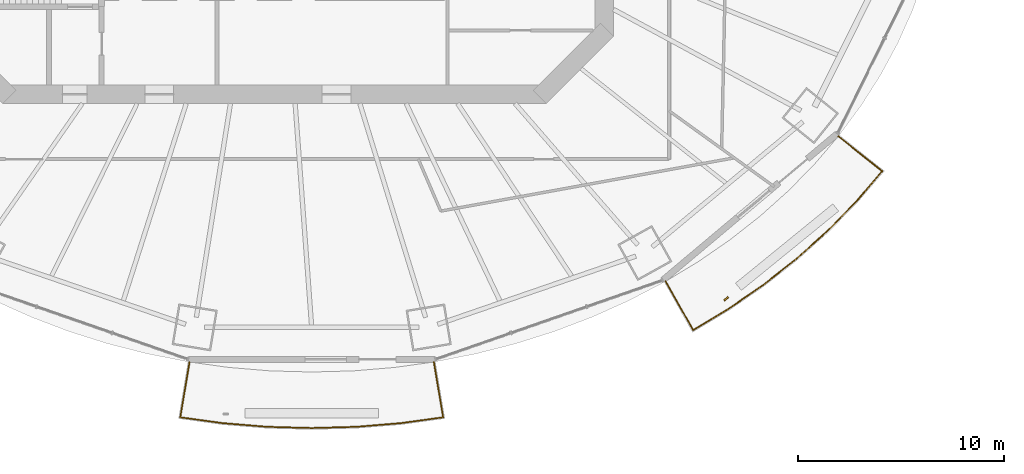
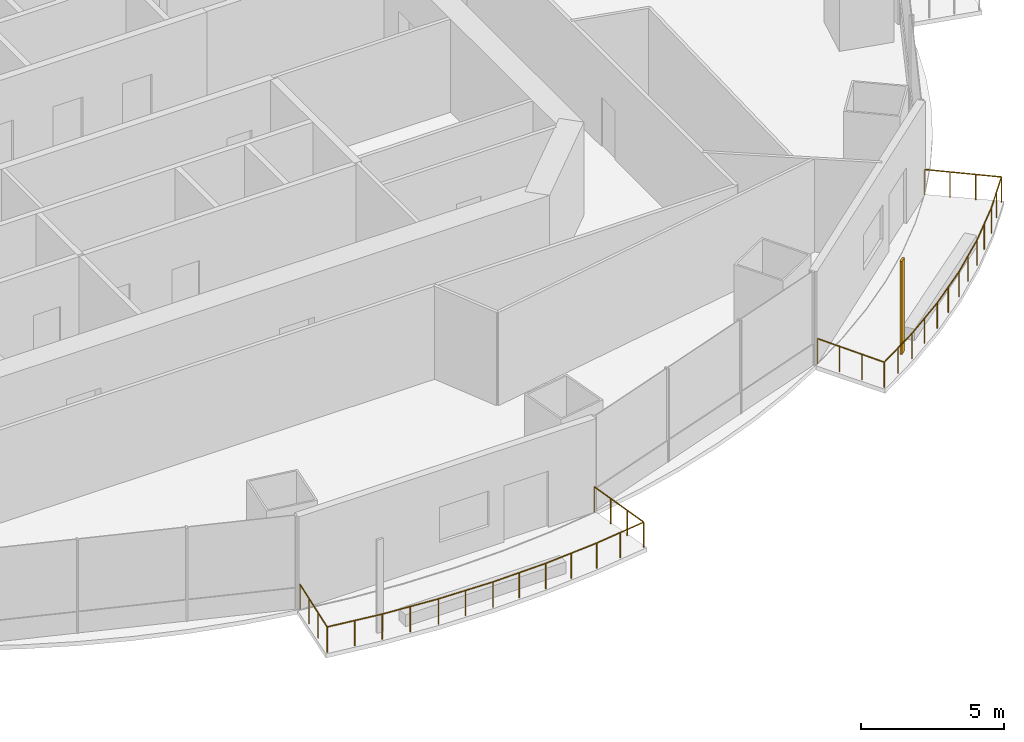
# One storey, part 15 of 19: 2 railings, 1 shading device.
"""IFC4 building model written with IfcOpenShell, lengths in metres."""

from ifc_helpers import new_model, si_unit, direction, frame, origin, origin_2d, place, context, subcontext, project, spatial, rectangle, circle, extrude, material, material_profile, profile_set, type_object, element, save


model = new_model("IFC4")

# Units and contexts
model_context = context("Model", 3, precision=1e-05, world=origin(), true_north=direction((0.0, 1.0)))
body_context = subcontext(model_context, "Body", "Model", "MODEL_VIEW")
ifc_project = project(units=[si_unit("LENGTHUNIT", "METRE"), si_unit("AREAUNIT", "SQUARE_METRE"), si_unit("VOLUMEUNIT", "CUBIC_METRE"), si_unit("PLANEANGLEUNIT", "RADIAN"), si_unit("MASSUNIT", "GRAM", prefix="KILO")], contexts=[model_context])

# Site, building, storey
site_placement = place(None, origin())
site = spatial("IfcSite", under=ifc_project, at=site_placement, CompositionType="ELEMENT")
building_placement = place(site_placement, origin())
building = spatial("IfcBuilding", under=site, at=building_placement, Name="Marenthal Gate Tower", CompositionType="ELEMENT")
storey_placement = place(building_placement, frame((0.0, 0.0, 223.300048828125)))
storey = spatial("IfcBuildingStorey", under=building, at=storey_placement, Name="L49", CompositionType="ELEMENT", Elevation=223.300048828125)

# Railings
ifc_material_1 = material(Name="Stainless steel", Category="steel")
railing_type = type_object("IfcRailingType", Name="Balcony guard 1100", PredefinedType="GUARDRAIL", material=ifc_material_1)
railing_1_placement = place(storey_placement, frame((7.7314453125, -26.000732421875, 0.0)))
element("IfcRailing", 1, at=railing_1_placement, inside=storey, type_object=railing_type, Name="Balcony guard L49 bay 12", PredefinedType="GUARDRAIL", context=body_context, shape_type="SweptSolid", body=[
    extrude(circle(Radius=0.02392578125, at=origin_2d()), frame((0.0, 0.0, 1.076171875), z_axis=(0.164948720809, -0.986192324793, -0.014717948973), x_axis=(0.986299155665, 0.164966589145, 0.0)), (0.0, 0.0, 1.0), 2.720458984375),
    extrude(circle(Radius=0.02392578125, at=origin_2d()), frame((0.44873046875, -2.682861328125, 1.0361328125), z_axis=(-0.990662192704, -0.136339355824, 0.0), x_axis=(0.136339355824, -0.990662192704, 0.0)), (0.0, 0.0, 1.0), 2.0791015625),
    extrude(circle(Radius=0.02392578125, at=origin_2d()), frame((-1.61083984375, -2.96630859375, 1.0361328125), z_axis=(-0.996591524786, -0.082494440564, 0.0), x_axis=(0.082494440564, -0.996591524786, 0.0)), (0.0, 0.0, 1.0), 2.163330078125),
    extrude(circle(Radius=0.02392578125, at=origin_2d()), frame((-3.766845703125, -3.144775390625, 1.0361328125), z_axis=(-0.999621515945, -0.027510450021, 0.0), x_axis=(0.027510450021, -0.999621515945, 0.0)), (0.0, 0.0, 1.0), 2.165283203125),
    extrude(circle(Radius=0.02392578125, at=origin_2d()), frame((-5.931396484375, -3.204345703125, 1.0361328125), z_axis=(-0.999621515945, 0.027510450021, 0.0), x_axis=(-0.027510450021, -0.999621515945, 0.0)), (0.0, 0.0, 1.0), 2.165283203125),
    extrude(circle(Radius=0.02392578125, at=origin_2d()), frame((-8.095947265625, -3.144775390625, 1.0361328125), z_axis=(-0.996591524786, 0.082494440564, 0.0), x_axis=(-0.082494440564, -0.996591524786, 0.0)), (0.0, 0.0, 1.0), 2.163330078125),
    extrude(circle(Radius=0.02392578125, at=origin_2d()), frame((-10.251953125, -2.96630859375, 1.0361328125), z_axis=(-0.990662192704, 0.136339355824, 0.0), x_axis=(-0.136339355824, -0.990662192704, 0.0)), (0.0, 0.0, 1.0), 2.0791015625),
    extrude(circle(Radius=0.02392578125, at=origin_2d()), frame((-12.3115234375, -2.682861328125, 1.0361328125), z_axis=(0.164948720809, 0.986192324793, 0.014717948973), x_axis=(-0.986299155665, 0.164966589145, 0.0)), (0.0, 0.0, 1.0), 2.720458984375),
    extrude(circle(Radius=0.02099609375, at=origin_2d()), origin(), (0.0, 0.0, 1.0), 1.052001953125),
    extrude(circle(Radius=0.02099609375, at=origin_2d()), frame((0.149658203125, -0.894287109375, -0.013427734375)), (0.0, 0.0, 1.0), 1.052001953125),
    extrude(circle(Radius=0.02099609375, at=origin_2d()), frame((0.299072265625, -1.78857421875, -0.026611328125)), (0.0, 0.0, 1.0), 1.052001953125),
    extrude(circle(Radius=0.02099609375, at=origin_2d()), frame((0.44873046875, -2.682861328125, -0.0400390625)), (0.0, 0.0, 1.0), 1.052001953125),
    extrude(circle(Radius=0.02099609375, at=origin_2d()), frame((-0.5810546875, -2.82470703125, -0.0400390625)), (0.0, 0.0, 1.0), 1.052001953125),
    extrude(circle(Radius=0.02099609375, at=origin_2d()), frame((-1.61083984375, -2.96630859375, -0.0400390625)), (0.0, 0.0, 1.0), 1.052001953125),
    extrude(circle(Radius=0.02099609375, at=origin_2d()), frame((-2.68896484375, -3.0556640625, -0.0400390625)), (0.0, 0.0, 1.0), 1.052001953125),
    extrude(circle(Radius=0.02099609375, at=origin_2d()), frame((-3.766845703125, -3.144775390625, -0.0400390625)), (0.0, 0.0, 1.0), 1.052001953125),
    extrude(circle(Radius=0.02099609375, at=origin_2d()), frame((-4.84912109375, -3.174560546875, -0.0400390625)), (0.0, 0.0, 1.0), 1.052001953125),
    extrude(circle(Radius=0.02099609375, at=origin_2d()), frame((-5.931396484375, -3.204345703125, -0.0400390625)), (0.0, 0.0, 1.0), 1.052001953125),
    extrude(circle(Radius=0.02099609375, at=origin_2d()), frame((-7.013671875, -3.174560546875, -0.0400390625)), (0.0, 0.0, 1.0), 1.052001953125),
    extrude(circle(Radius=0.02099609375, at=origin_2d()), frame((-8.095947265625, -3.144775390625, -0.0400390625)), (0.0, 0.0, 1.0), 1.052001953125),
    extrude(circle(Radius=0.02099609375, at=origin_2d()), frame((-9.173828125, -3.0556640625, -0.0400390625)), (0.0, 0.0, 1.0), 1.052001953125),
    extrude(circle(Radius=0.02099609375, at=origin_2d()), frame((-10.251953125, -2.96630859375, -0.0400390625)), (0.0, 0.0, 1.0), 1.052001953125),
    extrude(circle(Radius=0.02099609375, at=origin_2d()), frame((-11.28173828125, -2.82470703125, -0.0400390625)), (0.0, 0.0, 1.0), 1.052001953125),
    extrude(circle(Radius=0.02099609375, at=origin_2d()), frame((-12.3115234375, -2.682861328125, -0.0400390625)), (0.0, 0.0, 1.0), 1.052001953125),
    extrude(circle(Radius=0.02099609375, at=origin_2d()), frame((-12.161865234375, -1.78857421875, -0.026611328125)), (0.0, 0.0, 1.0), 1.052001953125),
    extrude(circle(Radius=0.02099609375, at=origin_2d()), frame((-12.012451171875, -0.894287109375, -0.013427734375)), (0.0, 0.0, 1.0), 1.052001953125),
    extrude(circle(Radius=0.02099609375, at=origin_2d()), frame((-11.86279296875, 0.0, 0.0)), (0.0, 0.0, 1.0), 1.052001953125),
])
railing_2_placement = place(storey_placement, frame((27.3662109375, -15.04345703125, 0.0)))
element("IfcRailing", 2, at=railing_2_placement, inside=storey, type_object=railing_type, Name="Balcony guard L49 bay 14", PredefinedType="GUARDRAIL", context=body_context, shape_type="SweptSolid", body=[
    extrude(circle(Radius=0.02392578125, at=origin_2d()), frame((0.0, 0.0, 1.076171875), z_axis=(0.782855020802, -0.62203005264, -0.014718356461), x_axis=(0.622097438779, 0.78293982953, 0.0)), (0.0, 0.0, 1.0), 2.720458984375),
    extrude(circle(Radius=0.02392578125, at=origin_2d()), frame((2.129638671875, -1.692138671875, 1.0361328125), z_axis=(-0.649961690438, -0.7599669736, 0.0), x_axis=(0.7599669736, -0.649961690438, 0.0)), (0.0, 0.0, 1.0), 1.915283203125),
    extrude(circle(Radius=0.02392578125, at=origin_2d()), frame((0.884765625, -3.147705078125, 1.0361328125), z_axis=(-0.698745300924, -0.715370536461, 0.0), x_axis=(0.715370536461, -0.698745300924, 0.0)), (0.0, 0.0, 1.0), 2.01171875),
    extrude(circle(Radius=0.02392578125, at=origin_2d()), frame((-0.52099609375, -4.5869140625, 1.0361328125), z_axis=(-0.744340445793, -0.667800344981, 0.0), x_axis=(0.667800344981, -0.744340445793, 0.0)), (0.0, 0.0, 1.0), 2.028564453125),
    extrude(circle(Radius=0.02392578125, at=origin_2d()), frame((-2.031005859375, -5.941650390625, 1.0361328125), z_axis=(-0.785792171054, -0.618490633648, 0.0), x_axis=(0.618490633648, -0.785792171054, 0.0)), (0.0, 0.0, 1.0), 2.0458984375),
    extrude(circle(Radius=0.02392578125, at=origin_2d()), frame((-3.638671875, -7.20703125, 1.0361328125), z_axis=(-0.823243306464, -0.567688698462, 0.0), x_axis=(0.567688698462, -0.823243306464, 0.0)), (0.0, 0.0, 1.0), 2.0625),
    extrude(circle(Radius=0.02392578125, at=origin_2d()), frame((-5.336669921875, -8.3779296875, 1.0361328125), z_axis=(-0.856034878553, -0.516918065751, 0.0), x_axis=(0.516918065751, -0.856034878553, 0.0)), (0.0, 0.0, 1.0), 1.999267578125),
    extrude(circle(Radius=0.02392578125, at=origin_2d()), frame((-7.048095703125, -9.411376953125, 1.0361328125), z_axis=(-0.489760652224, 0.871732676388, 0.014718846796), x_axis=(-0.871827119757, -0.489813712809, 0.0)), (0.0, 0.0, 1.0), 2.72021484375),
    extrude(circle(Radius=0.02099609375, at=origin_2d()), origin(), (0.0, 0.0, 1.0), 1.052001953125),
    extrude(circle(Radius=0.02099609375, at=origin_2d()), frame((0.7099609375, -0.56396484375, -0.013427734375)), (0.0, 0.0, 1.0), 1.052001953125),
    extrude(circle(Radius=0.02099609375, at=origin_2d()), frame((1.419677734375, -1.128173828125, -0.026611328125)), (0.0, 0.0, 1.0), 1.052001953125),
    extrude(circle(Radius=0.02099609375, at=origin_2d()), frame((2.129638671875, -1.692138671875, -0.0400390625)), (0.0, 0.0, 1.0), 1.052001953125),
    extrude(circle(Radius=0.02099609375, at=origin_2d()), frame((1.50732421875, -2.419921875, -0.0400390625)), (0.0, 0.0, 1.0), 1.052001953125),
    extrude(circle(Radius=0.02099609375, at=origin_2d()), frame((0.884765625, -3.147705078125, -0.0400390625)), (0.0, 0.0, 1.0), 1.052001953125),
    extrude(circle(Radius=0.02099609375, at=origin_2d()), frame((0.181884765625, -3.8671875, -0.0400390625)), (0.0, 0.0, 1.0), 1.052001953125),
    extrude(circle(Radius=0.02099609375, at=origin_2d()), frame((-0.52099609375, -4.5869140625, -0.0400390625)), (0.0, 0.0, 1.0), 1.052001953125),
    extrude(circle(Radius=0.02099609375, at=origin_2d()), frame((-1.27587890625, -5.26416015625, -0.0400390625)), (0.0, 0.0, 1.0), 1.052001953125),
    extrude(circle(Radius=0.02099609375, at=origin_2d()), frame((-2.031005859375, -5.941650390625, -0.0400390625)), (0.0, 0.0, 1.0), 1.052001953125),
    extrude(circle(Radius=0.02099609375, at=origin_2d()), frame((-2.8349609375, -6.57421875, -0.0400390625)), (0.0, 0.0, 1.0), 1.052001953125),
    extrude(circle(Radius=0.02099609375, at=origin_2d()), frame((-3.638671875, -7.20703125, -0.0400390625)), (0.0, 0.0, 1.0), 1.052001953125),
    extrude(circle(Radius=0.02099609375, at=origin_2d()), frame((-4.48779296875, -7.79248046875, -0.0400390625)), (0.0, 0.0, 1.0), 1.052001953125),
    extrude(circle(Radius=0.02099609375, at=origin_2d()), frame((-5.336669921875, -8.3779296875, -0.0400390625)), (0.0, 0.0, 1.0), 1.052001953125),
    extrude(circle(Radius=0.02099609375, at=origin_2d()), frame((-6.1923828125, -8.89453125, -0.0400390625)), (0.0, 0.0, 1.0), 1.052001953125),
    extrude(circle(Radius=0.02099609375, at=origin_2d()), frame((-7.048095703125, -9.411376953125, -0.0400390625)), (0.0, 0.0, 1.0), 1.052001953125),
    extrude(circle(Radius=0.02099609375, at=origin_2d()), frame((-7.4921875, -8.620849609375, -0.026611328125)), (0.0, 0.0, 1.0), 1.052001953125),
    extrude(circle(Radius=0.02099609375, at=origin_2d()), frame((-7.936279296875, -7.83056640625, -0.013427734375)), (0.0, 0.0, 1.0), 1.052001953125),
    extrude(circle(Radius=0.02099609375, at=origin_2d()), frame((-8.38037109375, -7.0400390625, 0.0)), (0.0, 0.0, 1.0), 1.052001953125),
])

# Shading device
ifc_material_2 = material(Name="Terracotta", Category="masonry")
ifc_material_profile = material_profile(ifc_material_2, rectangle(XDim=0.25, YDim=0.080078125, at=origin_2d()), Name="Terracotta baguette 250x80")
ifc_profile_set = profile_set([ifc_material_profile], Name="Terracotta")
shading_device_type = type_object("IfcShadingDeviceType", Name="Terracotta BAGUETTE SCREEN 250x80", PredefinedType="USERDEFINED", material=ifc_profile_set)
shading_device_placement = place(storey_placement, frame((21.92041015625, -22.927978515625, -0.0400390625), z_axis=(0.0, 0.0, 1.0), x_axis=(0.765550876952, 0.643375360732, 0.0)))
element("IfcShadingDevice", 3, at=shading_device_placement, inside=storey, type_object=shading_device_type, Name="Terracotta BAGUETTE L49 bay 14L", ObjectType="BAGUETTE SCREEN", PredefinedType="USERDEFINED", context=body_context, shape_type="SweptSolid", body=[
    extrude(rectangle(XDim=0.25, YDim=0.080078125, at=origin_2d()), origin(), (0.0, 0.0, 1.0), 3.969970703125),
])

save(model, "model.ifc")
